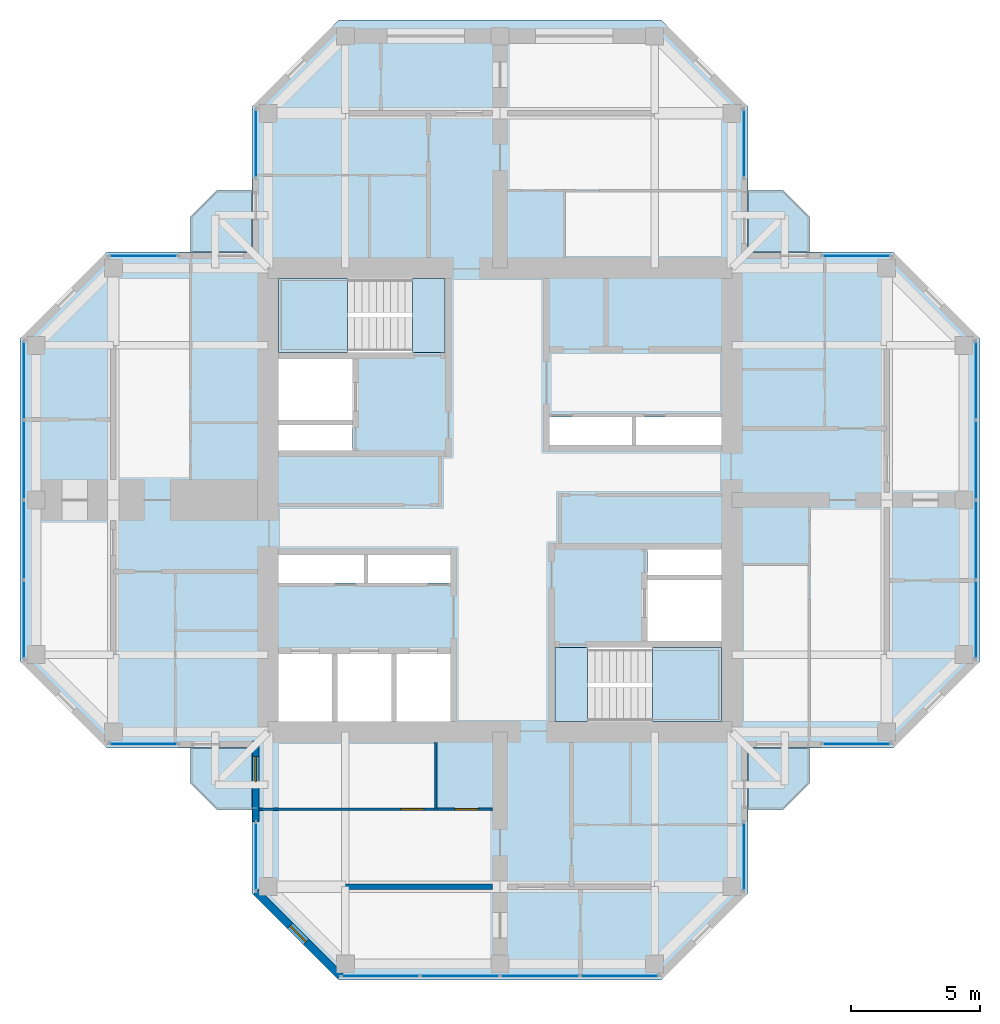
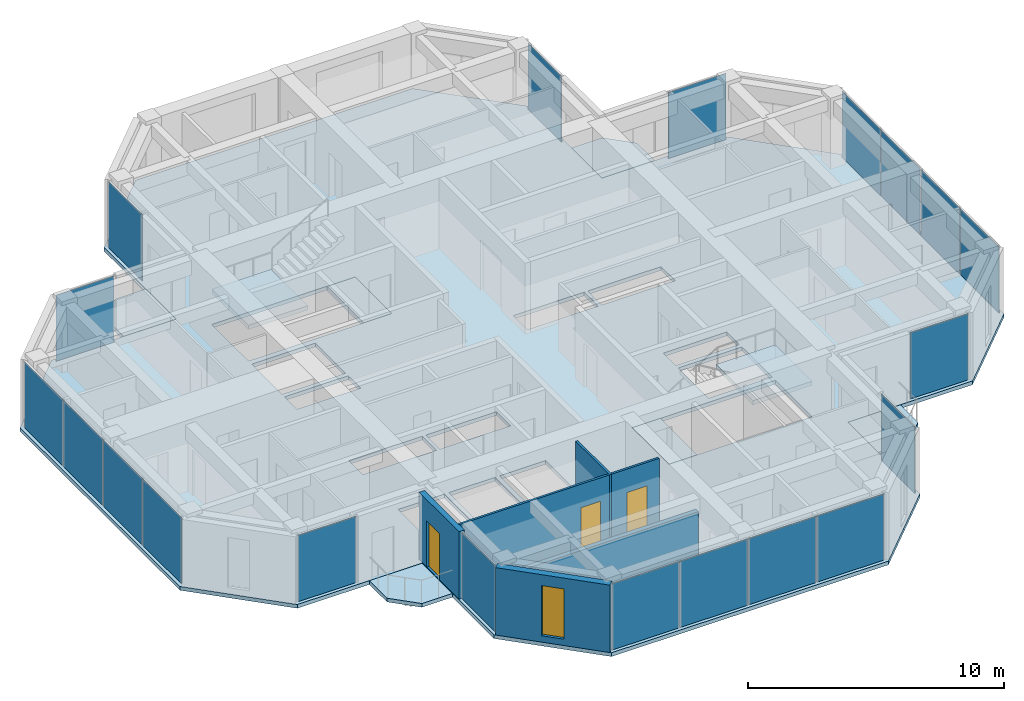
# One storey, part 7 of 13: 20 plates, 9 slabs, 5 walls, 3 doors, 1 window, 4 openings, 13 elements without a shape of their own.
"""IFC4 building model written with IfcOpenShell, lengths in metres."""

from ifc_helpers import new_model, si_unit, direction, frame, frame_2d, origin, origin_2d, place, context, subcontext, project, spatial, polyline, rectangle, hollow_rectangle, outline, extrude, material, layer, layer_set, constituent, constituent_set, type_object, element, fill, aggregate, save


model = new_model("IFC4")

# Units and contexts
model_context = context("Model", 3, precision=1e-05, world=origin(), true_north=direction((0.0, 1.0)))
body_context = subcontext(model_context, "Body", "Model", "MODEL_VIEW")
ifc_project = project(units=[si_unit("LENGTHUNIT", "METRE"), si_unit("AREAUNIT", "SQUARE_METRE"), si_unit("VOLUMEUNIT", "CUBIC_METRE"), si_unit("PLANEANGLEUNIT", "RADIAN"), si_unit("MASSUNIT", "GRAM", prefix="KILO")], contexts=[model_context])

# Site, building, storey
site_placement = place(None, origin())
site = spatial("IfcSite", under=ifc_project, at=site_placement, CompositionType="ELEMENT")
building_placement = place(site_placement, origin())
building = spatial("IfcBuilding", under=site, at=building_placement, Name="Torre Cruceta", CompositionType="ELEMENT")
storey_placement = place(building_placement, frame((0.0, 0.0, 264.5)))
storey = spatial("IfcBuildingStorey", under=building, at=storey_placement, Name="L68", CompositionType="ELEMENT", Elevation=264.5)

# Slabs
ifc_material_1 = material(Name="Concrete G35 (fck 35 MPa)", Category="concrete")
ifc_layer_1 = layer(ifc_material_1, 0.179931640625)
ifc_layer_set_1 = layer_set([ifc_layer_1], Name="Concrete G35 (fck 35 MPa)")
slab_type_1 = type_object("IfcSlabType", Name="BALCONY SLAB 180", PredefinedType="USERDEFINED", material=ifc_layer_set_1)
slab_1_placement = place(storey_placement, frame((0.0, 0.0, -0.179931640625)))
element("IfcSlab", 1, at=slab_1_placement, inside=storey, type_object=slab_type_1, Name="Balcony slab L68 N", ObjectType="BALCONY", PredefinedType="USERDEFINED", context=body_context, shape_type="SweptSolid", body=[
    extrude(outline(polyline([(-12.0, 11.0), (-11.0, 12.0), (-9.6201171875, 12.0), (-9.6201171875, 9.6201171875), (-12.0, 9.6201171875), (-12.0, 11.0)])), origin(), (0.0, 0.0, 1.0), 0.179931640625),
])
slab_2_placement = place(storey_placement, frame((0.0, 0.0, -0.179931640625)))
element("IfcSlab", 2, at=slab_2_placement, inside=storey, type_object=slab_type_1, Name="Balcony slab L68 E", ObjectType="BALCONY", PredefinedType="USERDEFINED", context=body_context, shape_type="SweptSolid", body=[
    extrude(outline(polyline([(11.0, 12.0), (12.0, 11.0), (12.0, 9.6201171875), (9.6201171875, 9.6201171875), (9.6201171875, 12.0), (11.0, 12.0)])), origin(), (0.0, 0.0, 1.0), 0.179931640625),
])
slab_3_placement = place(storey_placement, frame((0.0, 0.0, -0.179931640625)))
element("IfcSlab", 3, at=slab_3_placement, inside=storey, type_object=slab_type_1, Name="Balcony slab L68 S", ObjectType="BALCONY", PredefinedType="USERDEFINED", context=body_context, shape_type="SweptSolid", body=[
    extrude(outline(polyline([(12.0, -11.0), (11.0, -12.0), (9.6201171875, -12.0), (9.6201171875, -9.6201171875), (12.0, -9.6201171875), (12.0, -11.0)])), origin(), (0.0, 0.0, 1.0), 0.179931640625),
])
slab_4_placement = place(storey_placement, frame((0.0, 0.0, -0.179931640625)))
element("IfcSlab", 4, at=slab_4_placement, inside=storey, type_object=slab_type_1, Name="Balcony slab L68 W", ObjectType="BALCONY", PredefinedType="USERDEFINED", context=body_context, shape_type="SweptSolid", body=[
    extrude(outline(polyline([(-11.0, -12.0), (-12.0, -11.0), (-12.0, -9.6201171875), (-9.6201171875, -9.6201171875), (-9.6201171875, -12.0), (-11.0, -12.0)])), origin(), (0.0, 0.0, 1.0), 0.179931640625),
])

# Curtain wall, plate
ifc_material_2 = material(Name="Aluminium unitised curtain wall", Category="aluminium")
curtain_wall_type = type_object("IfcCurtainWallType", Name="CURTAIN WALL CW-E CO-LIVING TOP", PredefinedType="USERDEFINED", material=ifc_material_2)
curtain_wall_1_placement = place(storey_placement, origin())
curtain_wall_1 = element("IfcCurtainWall", 5, at=curtain_wall_1_placement, inside=storey, type_object=curtain_wall_type, Name="CW-E L68 E tip 02", ObjectType="UNITISED", PredefinedType="USERDEFINED")
ifc_material_3 = material(Name="Laminated insulating glass unit, diagonal frit 50 %", Category="glass")
ifc_material_4 = material(Name="Laminated insulating glass unit, diagonal frit 50 %", Category="glass")
ifc_layer_2 = layer(ifc_material_4, 0.028076171875)
ifc_layer_set_2 = layer_set([ifc_layer_2], Name="Laminated insulating glass unit, diagonal frit 50 %")
plate_type_1 = type_object("IfcPlateType", Name="CW-E OPERABLE VENT PANEL 28", PredefinedType="CURTAIN_PANEL", material=ifc_layer_set_2)
plate_1_placement = place(storey_placement, frame((18.469970703125, -1.548583984375, 0.009765625), z_axis=(0.0, 0.0, 1.0), x_axis=(0.0, 1.0, 0.0)))
plate_1 = element("IfcPlate", 6, at=plate_1_placement, type_object=plate_type_1, material=ifc_material_3, Name="CW-E vent 2", PredefinedType="CURTAIN_PANEL", context=body_context, shape_type="SweptSolid", body=[
    extrude(rectangle(XDim=3.042236328125, YDim=0.028076171875, at=origin_2d()), origin(), (0.0, 0.0, 1.0), 3.155029296875),
])

curtain_wall_2_placement = place(storey_placement, origin())
curtain_wall_2 = element("IfcCurtainWall", 7, at=curtain_wall_2_placement, inside=storey, type_object=curtain_wall_type, Name="CW-E L68 W tip 12", ObjectType="UNITISED", PredefinedType="USERDEFINED")
plate_2_placement = place(storey_placement, frame((-18.469970703125, 1.548583984375, 0.009765625), z_axis=(0.0, 0.0, 1.0), x_axis=(0.0, -1.0, 0.0)))
plate_2 = element("IfcPlate", 8, at=plate_2_placement, type_object=plate_type_1, material=ifc_material_3, Name="CW-E vent 2", PredefinedType="CURTAIN_PANEL", context=body_context, shape_type="SweptSolid", body=[
    extrude(rectangle(XDim=3.042236328125, YDim=0.028076171875, at=origin_2d()), origin(), (0.0, 0.0, 1.0), 3.155029296875),
])

curtain_wall_3_placement = place(storey_placement, origin())
curtain_wall_3 = element("IfcCurtainWall", 9, at=curtain_wall_3_placement, inside=storey, type_object=curtain_wall_type, Name="CW-E L68 S tip 17", ObjectType="UNITISED", PredefinedType="USERDEFINED")
plate_3_placement = place(storey_placement, frame((-1.548583984375, -18.469970703125, 0.009765625), z_axis=(0.0, 0.0, 1.0), x_axis=(1.0, 0.0, 0.0)))
plate_3 = element("IfcPlate", 10, at=plate_3_placement, type_object=plate_type_1, material=ifc_material_3, Name="CW-E vent 2", PredefinedType="CURTAIN_PANEL", context=body_context, shape_type="SweptSolid", body=[
    extrude(rectangle(XDim=3.042236328125, YDim=0.028076171875, at=origin_2d()), origin(), (0.0, 0.0, 1.0), 3.155029296875),
])

curtain_wall_4_placement = place(storey_placement, origin())
curtain_wall_4 = element("IfcCurtainWall", 11, at=curtain_wall_4_placement, inside=storey, type_object=curtain_wall_type, Name="CW-E L68 E side 00", ObjectType="UNITISED", PredefinedType="USERDEFINED")
ifc_material_5 = material(Name="Laminated insulating glass unit, diagonal frit 50 %", Category="glass")
ifc_layer_3 = layer(ifc_material_5, 0.028076171875)
ifc_layer_set_3 = layer_set([ifc_layer_3], Name="Laminated insulating glass unit, diagonal frit 50 %")
plate_type_2 = type_object("IfcPlateType", Name="CW-E PANEL 28", PredefinedType="CURTAIN_PANEL", material=ifc_layer_set_3)
plate_4_placement = place(storey_placement, frame((13.832275390625, -9.469970703125, 0.009765625), z_axis=(0.0, 0.0, 1.0), x_axis=(1.0, 0.0, 0.0)))
plate_4 = element("IfcPlate", 12, at=plate_4_placement, type_object=plate_type_2, material=ifc_material_3, Name="CW-E panel 1", PredefinedType="CURTAIN_PANEL", context=body_context, shape_type="SweptSolid", body=[
    extrude(rectangle(XDim=2.61474609375, YDim=0.028076171875, at=origin_2d()), origin(), (0.0, 0.0, 1.0), 3.155029296875),
])
aggregate(curtain_wall_4, [plate_4])

# Plate
plate_5_placement = place(storey_placement, frame((18.469970703125, -4.63232421875, 0.009765625), z_axis=(0.0, 0.0, 1.0), x_axis=(0.0, 1.0, 0.0)))
plate_5 = element("IfcPlate", 13, at=plate_5_placement, type_object=plate_type_2, material=ifc_material_3, Name="CW-E panel 1", PredefinedType="CURTAIN_PANEL", context=body_context, shape_type="SweptSolid", body=[
    extrude(rectangle(XDim=3.014892578125, YDim=0.028076171875, at=origin_2d()), origin(), (0.0, 0.0, 1.0), 3.155029296875),
])

plate_6_placement = place(storey_placement, frame((18.469970703125, 1.548583984375, 0.009765625), z_axis=(0.0, 0.0, 1.0), x_axis=(0.0, 1.0, 0.0)))
plate_6 = element("IfcPlate", 14, at=plate_6_placement, type_object=plate_type_2, material=ifc_material_3, Name="CW-E panel 3", PredefinedType="CURTAIN_PANEL", context=body_context, shape_type="SweptSolid", body=[
    extrude(rectangle(XDim=3.042236328125, YDim=0.028076171875, at=origin_2d()), origin(), (0.0, 0.0, 1.0), 3.155029296875),
])

plate_7_placement = place(storey_placement, frame((18.469970703125, 4.63232421875, 0.009765625), z_axis=(0.0, 0.0, 1.0), x_axis=(0.0, 1.0, 0.0)))
plate_7 = element("IfcPlate", 15, at=plate_7_placement, type_object=plate_type_2, material=ifc_material_3, Name="CW-E panel 4", PredefinedType="CURTAIN_PANEL", context=body_context, shape_type="SweptSolid", body=[
    extrude(rectangle(XDim=3.014892578125, YDim=0.028076171875, at=origin_2d()), origin(), (0.0, 0.0, 1.0), 3.155029296875),
])

aggregate(curtain_wall_1, [plate_5, plate_1, plate_6, plate_7])

# Curtain wall, plate
curtain_wall_5_placement = place(storey_placement, origin())
curtain_wall_5 = element("IfcCurtainWall", 16, at=curtain_wall_5_placement, inside=storey, type_object=curtain_wall_type, Name="CW-E L68 E side 04", ObjectType="UNITISED", PredefinedType="USERDEFINED")
plate_8_placement = place(storey_placement, frame((13.832275390625, 9.469970703125, 0.009765625), z_axis=(0.0, 0.0, 1.0), x_axis=(-1.0, 0.0, 0.0)))
plate_8 = element("IfcPlate", 17, at=plate_8_placement, type_object=plate_type_2, material=ifc_material_3, Name="CW-E panel 1", PredefinedType="CURTAIN_PANEL", context=body_context, shape_type="SweptSolid", body=[
    extrude(rectangle(XDim=2.61474609375, YDim=0.028076171875, at=origin_2d()), origin(), (0.0, 0.0, 1.0), 3.155029296875),
])
aggregate(curtain_wall_5, [plate_8])

curtain_wall_6_placement = place(storey_placement, origin())
curtain_wall_6 = element("IfcCurtainWall", 18, at=curtain_wall_6_placement, inside=storey, type_object=curtain_wall_type, Name="CW-E L68 N side 05", ObjectType="UNITISED", PredefinedType="USERDEFINED")
plate_9_placement = place(storey_placement, frame((9.469970703125, 13.832275390625, 0.009765625), z_axis=(0.0, 0.0, 1.0), x_axis=(0.0, 1.0, 0.0)))
plate_9 = element("IfcPlate", 19, at=plate_9_placement, type_object=plate_type_2, material=ifc_material_3, Name="CW-E panel 1", PredefinedType="CURTAIN_PANEL", context=body_context, shape_type="SweptSolid", body=[
    extrude(rectangle(XDim=2.61474609375, YDim=0.028076171875, at=origin_2d()), origin(), (0.0, 0.0, 1.0), 3.155029296875),
])
aggregate(curtain_wall_6, [plate_9])

curtain_wall_7_placement = place(storey_placement, origin())
curtain_wall_7 = element("IfcCurtainWall", 20, at=curtain_wall_7_placement, inside=storey, type_object=curtain_wall_type, Name="CW-E L68 N side 09", ObjectType="UNITISED", PredefinedType="USERDEFINED")
plate_10_placement = place(storey_placement, frame((-9.469970703125, 13.832275390625, 0.009765625), z_axis=(0.0, 0.0, 1.0), x_axis=(0.0, -1.0, 0.0)))
plate_10 = element("IfcPlate", 21, at=plate_10_placement, type_object=plate_type_2, material=ifc_material_3, Name="CW-E panel 1", PredefinedType="CURTAIN_PANEL", context=body_context, shape_type="SweptSolid", body=[
    extrude(rectangle(XDim=2.61474609375, YDim=0.028076171875, at=origin_2d()), origin(), (0.0, 0.0, 1.0), 3.155029296875),
])
aggregate(curtain_wall_7, [plate_10])

curtain_wall_8_placement = place(storey_placement, origin())
curtain_wall_8 = element("IfcCurtainWall", 22, at=curtain_wall_8_placement, inside=storey, type_object=curtain_wall_type, Name="CW-E L68 W side 10", ObjectType="UNITISED", PredefinedType="USERDEFINED")
plate_11_placement = place(storey_placement, frame((-13.832275390625, 9.469970703125, 0.009765625), z_axis=(0.0, 0.0, 1.0), x_axis=(-1.0, 0.0, 0.0)))
plate_11 = element("IfcPlate", 23, at=plate_11_placement, type_object=plate_type_2, material=ifc_material_3, Name="CW-E panel 1", PredefinedType="CURTAIN_PANEL", context=body_context, shape_type="SweptSolid", body=[
    extrude(rectangle(XDim=2.61474609375, YDim=0.028076171875, at=origin_2d()), origin(), (0.0, 0.0, 1.0), 3.155029296875),
])
aggregate(curtain_wall_8, [plate_11])

# Plate
plate_12_placement = place(storey_placement, frame((-18.469970703125, 4.63232421875, 0.009765625), z_axis=(0.0, 0.0, 1.0), x_axis=(0.0, -1.0, 0.0)))
plate_12 = element("IfcPlate", 24, at=plate_12_placement, type_object=plate_type_2, material=ifc_material_3, Name="CW-E panel 1", PredefinedType="CURTAIN_PANEL", context=body_context, shape_type="SweptSolid", body=[
    extrude(rectangle(XDim=3.014892578125, YDim=0.028076171875, at=origin_2d()), origin(), (0.0, 0.0, 1.0), 3.155029296875),
])

plate_13_placement = place(storey_placement, frame((-18.469970703125, -1.548583984375, 0.009765625), z_axis=(0.0, 0.0, 1.0), x_axis=(0.0, -1.0, 0.0)))
plate_13 = element("IfcPlate", 25, at=plate_13_placement, type_object=plate_type_2, material=ifc_material_3, Name="CW-E panel 3", PredefinedType="CURTAIN_PANEL", context=body_context, shape_type="SweptSolid", body=[
    extrude(rectangle(XDim=3.042236328125, YDim=0.028076171875, at=origin_2d()), origin(), (0.0, 0.0, 1.0), 3.155029296875),
])

plate_14_placement = place(storey_placement, frame((-18.469970703125, -4.63232421875, 0.009765625), z_axis=(0.0, 0.0, 1.0), x_axis=(0.0, -1.0, 0.0)))
plate_14 = element("IfcPlate", 26, at=plate_14_placement, type_object=plate_type_2, material=ifc_material_3, Name="CW-E panel 4", PredefinedType="CURTAIN_PANEL", context=body_context, shape_type="SweptSolid", body=[
    extrude(rectangle(XDim=3.014892578125, YDim=0.028076171875, at=origin_2d()), origin(), (0.0, 0.0, 1.0), 3.155029296875),
])

aggregate(curtain_wall_2, [plate_12, plate_2, plate_13, plate_14])

# Curtain wall, plate
curtain_wall_9_placement = place(storey_placement, origin())
curtain_wall_9 = element("IfcCurtainWall", 27, at=curtain_wall_9_placement, inside=storey, type_object=curtain_wall_type, Name="CW-E L68 W side 14", ObjectType="UNITISED", PredefinedType="USERDEFINED")
plate_15_placement = place(storey_placement, frame((-13.832275390625, -9.469970703125, 0.009765625), z_axis=(0.0, 0.0, 1.0), x_axis=(1.0, 0.0, 0.0)))
plate_15 = element("IfcPlate", 28, at=plate_15_placement, type_object=plate_type_2, material=ifc_material_3, Name="CW-E panel 1", PredefinedType="CURTAIN_PANEL", context=body_context, shape_type="SweptSolid", body=[
    extrude(rectangle(XDim=2.61474609375, YDim=0.028076171875, at=origin_2d()), origin(), (0.0, 0.0, 1.0), 3.155029296875),
])
aggregate(curtain_wall_9, [plate_15])

curtain_wall_10_placement = place(storey_placement, origin())
curtain_wall_10 = element("IfcCurtainWall", 29, at=curtain_wall_10_placement, inside=storey, type_object=curtain_wall_type, Name="CW-E L68 S side 15", ObjectType="UNITISED", PredefinedType="USERDEFINED")
plate_16_placement = place(storey_placement, frame((-9.469970703125, -13.832275390625, 0.009765625), z_axis=(0.0, 0.0, 1.0), x_axis=(0.0, -1.0, 0.0)))
plate_16 = element("IfcPlate", 30, at=plate_16_placement, type_object=plate_type_2, material=ifc_material_3, Name="CW-E panel 1", PredefinedType="CURTAIN_PANEL", context=body_context, shape_type="SweptSolid", body=[
    extrude(rectangle(XDim=2.61474609375, YDim=0.028076171875, at=origin_2d()), origin(), (0.0, 0.0, 1.0), 3.155029296875),
])
aggregate(curtain_wall_10, [plate_16])

# Plate
plate_17_placement = place(storey_placement, frame((-4.63232421875, -18.469970703125, 0.009765625), z_axis=(0.0, 0.0, 1.0), x_axis=(1.0, 0.0, 0.0)))
plate_17 = element("IfcPlate", 31, at=plate_17_placement, type_object=plate_type_2, material=ifc_material_3, Name="CW-E panel 1", PredefinedType="CURTAIN_PANEL", context=body_context, shape_type="SweptSolid", body=[
    extrude(rectangle(XDim=3.014892578125, YDim=0.028076171875, at=origin_2d()), origin(), (0.0, 0.0, 1.0), 3.155029296875),
])

plate_18_placement = place(storey_placement, frame((1.548583984375, -18.469970703125, 0.009765625), z_axis=(0.0, 0.0, 1.0), x_axis=(1.0, 0.0, 0.0)))
plate_18 = element("IfcPlate", 32, at=plate_18_placement, type_object=plate_type_2, material=ifc_material_3, Name="CW-E panel 3", PredefinedType="CURTAIN_PANEL", context=body_context, shape_type="SweptSolid", body=[
    extrude(rectangle(XDim=3.042236328125, YDim=0.028076171875, at=origin_2d()), origin(), (0.0, 0.0, 1.0), 3.155029296875),
])

plate_19_placement = place(storey_placement, frame((4.63232421875, -18.469970703125, 0.009765625), z_axis=(0.0, 0.0, 1.0), x_axis=(1.0, 0.0, 0.0)))
plate_19 = element("IfcPlate", 33, at=plate_19_placement, type_object=plate_type_2, material=ifc_material_3, Name="CW-E panel 4", PredefinedType="CURTAIN_PANEL", context=body_context, shape_type="SweptSolid", body=[
    extrude(rectangle(XDim=3.014892578125, YDim=0.028076171875, at=origin_2d()), origin(), (0.0, 0.0, 1.0), 3.155029296875),
])

aggregate(curtain_wall_3, [plate_17, plate_3, plate_18, plate_19])

# Curtain wall, plate
curtain_wall_11_placement = place(storey_placement, origin())
curtain_wall_11 = element("IfcCurtainWall", 34, at=curtain_wall_11_placement, inside=storey, type_object=curtain_wall_type, Name="CW-E L68 S side 19", ObjectType="UNITISED", PredefinedType="USERDEFINED")
plate_20_placement = place(storey_placement, frame((9.469970703125, -13.832275390625, 0.009765625), z_axis=(0.0, 0.0, 1.0), x_axis=(0.0, 1.0, 0.0)))
plate_20 = element("IfcPlate", 35, at=plate_20_placement, type_object=plate_type_2, material=ifc_material_3, Name="CW-E panel 1", PredefinedType="CURTAIN_PANEL", context=body_context, shape_type="SweptSolid", body=[
    extrude(rectangle(XDim=2.61474609375, YDim=0.028076171875, at=origin_2d()), origin(), (0.0, 0.0, 1.0), 3.155029296875),
])
aggregate(curtain_wall_11, [plate_20])

# Slab
ifc_material_6 = material(Name="Concrete G35 (fck 35 MPa)", Category="concrete")
ifc_layer_4 = layer(ifc_material_6, 0.179931640625)
ifc_layer_set_4 = layer_set([ifc_layer_4], Name="Concrete G35 (fck 35 MPa)")
slab_type_2 = type_object("IfcSlabType", Name="FLOOR SLAB 180", PredefinedType="FLOOR", material=ifc_layer_set_4)
slab_5_placement = place(storey_placement, frame((0.0, 0.0, -0.179931640625)))
element("IfcSlab", 36, at=slab_5_placement, inside=storey, type_object=slab_type_2, Name="Floor Slab L68", PredefinedType="FLOOR", context=body_context, shape_type="SweptSolid", body=[
    extrude(outline(polyline([(9.6201171875, -9.6201171875), (9.6201171875, -15.2568359375), (6.2568359375, -18.6201171875), (-6.2568359375, -18.6201171875), (-9.6201171875, -15.2568359375), (-9.6201171875, -9.6201171875), (-15.2568359375, -9.6201171875), (-18.6201171875, -6.2568359375), (-18.6201171875, 6.2568359375), (-15.2568359375, 9.6201171875), (-9.6201171875, 9.6201171875), (-9.6201171875, 15.2568359375), (-6.2568359375, 18.6201171875), (6.2568359375, 18.6201171875), (9.6201171875, 15.2568359375), (9.6201171875, 9.6201171875), (15.2568359375, 9.6201171875), (18.6201171875, 6.2568359375), (18.6201171875, -6.2568359375), (15.2568359375, -9.6201171875), (9.6201171875, -9.6201171875)]), holes=[polyline([(1.925048828125, 2.125), (5.125, 2.125), (5.125, 3.22509765625), (1.925048828125, 3.22509765625), (1.925048828125, 2.125)]), polyline([(5.27490234375, 2.125), (8.60009765625, 2.125), (8.60009765625, 3.22509765625), (5.27490234375, 3.22509765625), (5.27490234375, 2.125)]), polyline([(-8.60009765625, 3.10009765625), (-5.72509765625, 3.10009765625), (-5.72509765625, 5.47509765625), (-8.60009765625, 5.47509765625), (-8.60009765625, 3.10009765625)]), polyline([(-8.60009765625, 1.925048828125), (-5.72509765625, 1.925048828125), (-5.72509765625, 2.89990234375), (-8.60009765625, 2.89990234375), (-8.60009765625, 1.925048828125)]), polyline([(-4.0166015625, -8.60009765625), (-1.925048828125, -8.60009765625), (-1.925048828125, -5.97509765625), (-4.0166015625, -5.97509765625), (-4.0166015625, -8.60009765625)]), polyline([(-6.308349609375, -8.60009765625), (-4.216552734375, -8.60009765625), (-4.216552734375, -5.97509765625), (-6.308349609375, -5.97509765625), (-6.308349609375, -8.60009765625)]), polyline([(-8.60009765625, -8.60009765625), (-6.50830078125, -8.60009765625), (-6.50830078125, -5.97509765625), (-8.60009765625, -5.97509765625), (-8.60009765625, -8.60009765625)]), polyline([(-5.125, -3.22509765625), (-1.925048828125, -3.22509765625), (-1.925048828125, -2.125), (-5.125, -2.125), (-5.125, -3.22509765625)]), polyline([(-8.60009765625, -3.22509765625), (-5.27490234375, -3.22509765625), (-5.27490234375, -2.125), (-8.60009765625, -2.125), (-8.60009765625, -3.22509765625)]), polyline([(5.72509765625, -5.47509765625), (8.60009765625, -5.47509765625), (8.60009765625, -3.10009765625), (5.72509765625, -3.10009765625), (5.72509765625, -5.47509765625)]), polyline([(5.72509765625, -2.89990234375), (8.60009765625, -2.89990234375), (8.60009765625, -1.925048828125), (5.72509765625, -1.925048828125), (5.72509765625, -2.89990234375)]), polyline([(-8.60009765625, 5.72509765625), (-8.60009765625, 8.60009765625), (-3.39990234375, 8.60009765625), (-2.125, 8.60009765625), (-2.125, 5.72509765625), (-3.39990234375, 5.72509765625), (-8.60009765625, 5.72509765625)]), polyline([(2.125, -5.72509765625), (3.39990234375, -5.72509765625), (8.60009765625, -5.72509765625), (8.60009765625, -8.60009765625), (3.39990234375, -8.60009765625), (2.125, -8.60009765625), (2.125, -5.72509765625)])]), origin(), (0.0, 0.0, 1.0), 0.179931640625),
])

# Stair, slab
ifc_material_7 = material(Name="Concrete G30 (fck 30 MPa)", Category="concrete")
stair_type = type_object("IfcStairType", Name="STAIR HALF-TURN 1300", PredefinedType="HALF_TURN_STAIR", material=ifc_material_7)
stair_1_placement = place(storey_placement, origin())
stair_1 = element("IfcStair", 37, at=stair_1_placement, inside=storey, type_object=stair_type, Name="Stair ST1 L68", PredefinedType="HALF_TURN_STAIR")
ifc_material_8 = material(Name="Concrete G30 (fck 30 MPa)", Category="concrete")
ifc_layer_5 = layer(ifc_material_8, 0.199951171875)
ifc_layer_set_5 = layer_set([ifc_layer_5], Name="Concrete G30 (fck 30 MPa)")
slab_type_3 = type_object("IfcSlabType", Name="STAIR LANDING 200", PredefinedType="LANDING", material=ifc_layer_set_5)
slab_6_placement = place(storey_placement, frame((0.0, 0.0, 1.5)))
slab_6 = element("IfcSlab", 38, at=slab_6_placement, type_object=slab_type_3, Name="ST1 landing 1", PredefinedType="LANDING", context=body_context, shape_type="SweptSolid", body=[
    extrude(outline(polyline([(-8.60009765625, 5.72509765625), (-5.919921875, 5.72509765625), (-5.919921875, 8.60009765625), (-8.60009765625, 8.60009765625), (-8.60009765625, 5.72509765625)])), origin(), (0.0, 0.0, 1.0), 0.199951171875),
])
aggregate(stair_1, [slab_6])

stair_2_placement = place(storey_placement, origin())
stair_2 = element("IfcStair", 39, at=stair_2_placement, inside=storey, type_object=stair_type, Name="Stair ST2 L68", PredefinedType="HALF_TURN_STAIR")
slab_7_placement = place(storey_placement, frame((0.0, 0.0, 1.5)))
slab_7 = element("IfcSlab", 40, at=slab_7_placement, type_object=slab_type_3, Name="ST2 landing 1", PredefinedType="LANDING", context=body_context, shape_type="SweptSolid", body=[
    extrude(outline(polyline([(5.919921875, -8.60009765625), (8.60009765625, -8.60009765625), (8.60009765625, -5.72509765625), (5.919921875, -5.72509765625), (5.919921875, -8.60009765625)])), origin(), (0.0, 0.0, 1.0), 0.199951171875),
])
aggregate(stair_2, [slab_7])

# Slabs
slab_8_placement = place(storey_placement, frame((0.0, 0.0, -0.199951171875)))
element("IfcSlab", 41, at=slab_8_placement, inside=storey, type_object=slab_type_3, Name="Stair ST1 floor landing L68", PredefinedType="LANDING", context=body_context, shape_type="SweptSolid", body=[
    extrude(outline(polyline([(-2.125, 8.60009765625), (-2.125, 5.72509765625), (-3.39990234375, 5.72509765625), (-3.39990234375, 8.60009765625), (-2.125, 8.60009765625)])), origin(), (0.0, 0.0, 1.0), 0.199951171875),
])
slab_9_placement = place(storey_placement, frame((0.0, 0.0, -0.199951171875)))
element("IfcSlab", 42, at=slab_9_placement, inside=storey, type_object=slab_type_3, Name="Stair ST2 floor landing L68", PredefinedType="LANDING", context=body_context, shape_type="SweptSolid", body=[
    extrude(outline(polyline([(2.125, -8.60009765625), (2.125, -5.72509765625), (3.39990234375, -5.72509765625), (3.39990234375, -8.60009765625), (2.125, -8.60009765625)])), origin(), (0.0, 0.0, 1.0), 0.199951171875),
])

# Wall
ifc_material_9 = material(Name="Water-resistant plasterboard on steel studs", Category="steel")
ifc_layer_6 = layer(ifc_material_9, 0.10009765625)
ifc_layer_set_6 = layer_set([ifc_layer_6], Name="Water-resistant plasterboard on steel studs")
wall_type_1 = type_object("IfcWallType", Name="BATHROOM WALL 100", PredefinedType="PARTITIONING", material=ifc_layer_set_6)
wall_1_placement = place(storey_placement, frame((-2.5, -9.39990234375, 0.0), z_axis=(0.0, 0.0, 1.0), x_axis=(0.0, -1.0, 0.0)))
element("IfcWall", 43, at=wall_1_placement, inside=storey, type_object=wall_type_1, Name="PT4 L68-S-U1RBB", PredefinedType="PARTITIONING", context=body_context, shape_type="SweptSolid", body=[
    extrude(rectangle(XDim=2.650146484375, YDim=0.10009765625, at=frame_2d((1.3251953125, 0.0))), origin(), (0.0, 0.0, 1.0), 3.219970703125),
])

# Wall, openings, doors
wall_2_placement = place(storey_placement, frame((-9.344970703125, -12.0, 0.0), z_axis=(0.0, 0.0, 1.0), x_axis=(1.0, 0.0, 0.0)))
wall_2 = element("IfcWall", 44, at=wall_2_placement, inside=storey, type_object=wall_type_1, Name="PT4 L68-S-U1RBS", PredefinedType="PARTITIONING", context=body_context, shape_type="SweptSolid", body=[
    extrude(rectangle(XDim=9.044921875, YDim=0.10009765625, at=frame_2d((4.5224609375, 0.0))), origin(), (0.0, 0.0, 1.0), 3.219970703125),
])
opening_1_placement = place(wall_2_placement, frame((5.4951171875, 0.0, 0.0)))
opening_1 = element("IfcOpeningElement", 45, at=opening_1_placement, cuts=wall_2, Name="Opening D7", PredefinedType="OPENING", context=body_context, shape_type="SweptSolid", body=[
    extrude(rectangle(XDim=0.89990234375, YDim=2.10009765625, at=frame_2d((0.449951171875, 1.050048828125))), frame((0.0, 0.06005859375, 0.0), z_axis=(0.0, -1.0, 0.0), x_axis=(1.0, 0.0, 0.0)), (0.0, 0.0, 1.0), 0.1201171875),
])
opening_2_placement = place(wall_2_placement, frame((7.594970703125, 0.0, 0.0)))
opening_2 = element("IfcOpeningElement", 46, at=opening_2_placement, cuts=wall_2, Name="Opening D7", PredefinedType="OPENING", context=body_context, shape_type="SweptSolid", body=[
    extrude(rectangle(XDim=0.89990234375, YDim=2.10009765625, at=frame_2d((0.449951171875, 1.050048828125))), frame((0.0, 0.06005859375, 0.0), z_axis=(0.0, -1.0, 0.0), x_axis=(1.0, 0.0, 0.0)), (0.0, 0.0, 1.0), 0.1201171875),
])
ifc_material_10 = material(Name="Timber door", Category="wood")
door_type_1 = type_object("IfcDoorType", Name="BATHROOM DOOR 900X2100", OperationType="SINGLE_SWING_LEFT", PredefinedType="DOOR", material=ifc_material_10)
door_1_placement = place(opening_1_placement, origin())
door_1 = element("IfcDoor", 47, at=door_1_placement, inside=storey, type_object=door_type_1, Name="D7 L68-S-U1RBS-D1", OperationType="SINGLE_SWING_RIGHT", OverallHeight=2.10009765625, OverallWidth=0.89990234375, PredefinedType="DOOR", context=body_context, shape_type="SweptSolid", body=[
    extrude(rectangle(XDim=0.89990234375, YDim=2.10009765625, at=frame_2d((0.449951171875, 1.050048828125))), frame((0.0, 0.02490234375, 0.0), z_axis=(0.0, -1.0, 0.0), x_axis=(1.0, 0.0, 0.0)), (0.0, 0.0, 1.0), 0.050048828125),
])
fill(opening_1, door_1)
door_2_placement = place(opening_2_placement, origin())
door_2 = element("IfcDoor", 48, at=door_2_placement, inside=storey, type_object=door_type_1, Name="D7 L68-S-U1RBS-D2", OperationType="SINGLE_SWING_RIGHT", OverallHeight=2.10009765625, OverallWidth=0.89990234375, PredefinedType="DOOR", context=body_context, shape_type="SweptSolid", body=[
    extrude(rectangle(XDim=0.89990234375, YDim=2.10009765625, at=frame_2d((0.449951171875, 1.050048828125))), frame((0.0, 0.02490234375, 0.0), z_axis=(0.0, -1.0, 0.0), x_axis=(1.0, 0.0, 0.0)), (0.0, 0.0, 1.0), 0.050048828125),
])
fill(opening_2, door_2)

# Wall, opening, window
ifc_material_11 = material(Name="Concrete G30 (fck 30 MPa)", Category="concrete")
ifc_layer_7 = layer(ifc_material_11, 0.300048828125)
ifc_layer_set_7 = layer_set([ifc_layer_7], Name="Concrete G30 (fck 30 MPa)")
wall_type_2 = type_object("IfcWallType", Name="EXPOSED CONCRETE FACADE WALL 300", PredefinedType="SOLIDWALL", material=ifc_layer_set_7)
wall_3_placement = place(storey_placement, frame((-9.469970703125, -15.194580078125, 0.0), z_axis=(0.0, 0.0, 1.0), x_axis=(0.707106781187, -0.707106781187, 0.0)))
wall_3 = element("IfcWall", 49, at=wall_3_placement, inside=storey, type_object=wall_type_2, Name="EW1 facade wall L68 S chamfer 16", PredefinedType="SOLIDWALL", context=body_context, shape_type="SweptSolid", body=[
    extrude(rectangle(XDim=4.632080078125, YDim=0.300048828125, at=frame_2d((2.31591796875, 0.0))), origin(), (0.0, 0.0, 1.0), 3.219970703125),
])
opening_3_placement = place(wall_3_placement, frame((1.865966796875, 0.0, 0.300048828125)))
opening_3 = element("IfcOpeningElement", 50, at=opening_3_placement, cuts=wall_3, Name="Opening WN5", PredefinedType="OPENING", context=body_context, shape_type="SweptSolid", body=[
    extrude(rectangle(XDim=0.89990234375, YDim=2.39990234375, at=frame_2d((0.449951171875, 1.199951171875))), frame((0.0, 0.159912109375, 0.0), z_axis=(0.0, -1.0, 0.0), x_axis=(1.0, 0.0, 0.0)), (0.0, 0.0, 1.0), 0.320068359375),
])
ifc_material_12 = material(Name="Aluminium window frame", Category="aluminium")
ifc_constituent_1 = constituent(ifc_material_12, Name="Frame")
ifc_material_13 = material(Name="Laminated insulating glass unit, low-iron clear", Category="glass")
ifc_constituent_2 = constituent(ifc_material_13, Name="Glazing")
ifc_constituent_set_1 = constituent_set(constituents=[ifc_constituent_1, ifc_constituent_2], Name="Aluminium window")
window_type = type_object("IfcWindowType", Name="CHAMFER SLOT WINDOW 900X2400", PartitioningType="SINGLE_PANEL", PredefinedType="WINDOW", material=ifc_constituent_set_1)
window_placement = place(opening_3_placement, origin())
window = element("IfcWindow", 51, at=window_placement, inside=storey, type_object=window_type, Name="WN5 L68 S 1", OverallHeight=2.39990234375, OverallWidth=0.89990234375, PartitioningType="SINGLE_PANEL", PredefinedType="WINDOW", context=body_context, shape_type="SweptSolid", body=[
    extrude(hollow_rectangle(XDim=0.89990234375, YDim=2.39990234375, WallThickness=0.06005859375, at=frame_2d((0.449951171875, 1.199951171875))), frame((0.0, 0.030029296875, 0.0), z_axis=(0.0, -1.0, 0.0), x_axis=(1.0, 0.0, 0.0)), (0.0, 0.0, 1.0), 0.06005859375),
    extrude(rectangle(XDim=0.77880859375, YDim=2.27880859375, at=frame_2d((0.449951171875, 1.199951171875))), frame((0.0, 0.030029296875, 0.0), z_axis=(0.0, -1.0, 0.0), x_axis=(1.0, 0.0, 0.0)), (0.0, 0.0, 1.0), 0.06005859375),
])
fill(opening_3, window)

# Wall
ifc_material_14 = material(Name="Concrete G25 (fck 25 MPa)", Category="concrete")
ifc_layer_8 = layer(ifc_material_14, 0.199951171875)
ifc_layer_set_8 = layer_set([ifc_layer_8], Name="Concrete G25 (fck 25 MPa)")
wall_type_3 = type_object("IfcWallType", Name="UNIT SEPARATING WALL 200", PredefinedType="SOLIDWALL", material=ifc_layer_set_8)
wall_4_placement = place(storey_placement, frame((-8.64990234375, -15.0, 0.0), z_axis=(0.0, 0.0, 1.0), x_axis=(1.0, 0.0, 0.0)))
element("IfcWall", 52, at=wall_4_placement, inside=storey, type_object=wall_type_3, Name="PT2 L68-S-ENDa", PredefinedType="SOLIDWALL", context=body_context, shape_type="SweptSolid", body=[
    extrude(rectangle(XDim=8.349853515625, YDim=0.199951171875, at=frame_2d((4.1748046875, 0.0))), origin(), (0.0, 0.0, 1.0), 2.52001953125),
])

# Wall, opening, door
ifc_material_15 = material(Name="Concrete G30 (fck 30 MPa)", Category="concrete")
ifc_layer_9 = layer(ifc_material_15, 0.25)
ifc_layer_set_9 = layer_set([ifc_layer_9], Name="Concrete G30 (fck 30 MPa)")
wall_type_4 = type_object("IfcWallType", Name="WINTER GARDEN WALL 250", PredefinedType="SOLIDWALL", material=ifc_layer_set_9)
wall_5_placement = place(storey_placement, frame((-9.469970703125, -9.344970703125, 0.0), z_axis=(0.0, 0.0, 1.0), x_axis=(0.0, -1.0, 0.0)))
wall_5 = element("IfcWall", 53, at=wall_5_placement, inside=storey, type_object=wall_type_4, Name="EW2 winter garden wall L68 15", PredefinedType="SOLIDWALL", context=body_context, shape_type="SweptSolid", body=[
    extrude(rectangle(XDim=3.125, YDim=0.25, at=frame_2d((1.5625, 0.0))), origin(), (0.0, 0.0, 1.0), 3.219970703125),
])
opening_4_placement = place(wall_5_placement, frame((0.60009765625, 0.0, 0.0)))
opening_4 = element("IfcOpeningElement", 54, at=opening_4_placement, cuts=wall_5, Name="Opening D10", PredefinedType="OPENING", context=body_context, shape_type="SweptSolid", body=[
    extrude(rectangle(XDim=1.0, YDim=2.199951171875, at=frame_2d((0.5, 1.10009765625))), frame((0.0, 0.135009765625, 0.0), z_axis=(0.0, -1.0, 0.0), x_axis=(1.0, 0.0, 0.0)), (0.0, 0.0, 1.0), 0.27001953125),
])
ifc_material_16 = material(Name="Aluminium door frame", Category="aluminium")
ifc_constituent_3 = constituent(ifc_material_16, Name="Frame")
ifc_material_17 = material(Name="Laminated safety glass", Category="glass")
ifc_constituent_4 = constituent(ifc_material_17, Name="Glazing")
ifc_constituent_set_2 = constituent_set(constituents=[ifc_constituent_3, ifc_constituent_4], Name="Aluminium glazed door")
door_type_2 = type_object("IfcDoorType", Name="BALCONY DOOR 1000X2200", OperationType="SINGLE_SWING_RIGHT", PredefinedType="DOOR", material=ifc_constituent_set_2)
door_3_placement = place(opening_4_placement, origin())
door_3 = element("IfcDoor", 55, at=door_3_placement, inside=storey, type_object=door_type_2, Name="D10 balcony door L68 15", OperationType="SINGLE_SWING_LEFT", OverallHeight=2.199951171875, OverallWidth=1.0, PredefinedType="DOOR", context=body_context, shape_type="SweptSolid", body=[
    extrude(hollow_rectangle(XDim=1.0, YDim=2.199951171875, WallThickness=0.06005859375, at=frame_2d((0.5, 1.10009765625))), frame((0.0, 0.02490234375, 0.0), z_axis=(0.0, -1.0, 0.0), x_axis=(1.0, 0.0, 0.0)), (0.0, 0.0, 1.0), 0.050048828125),
    extrude(rectangle(XDim=0.87890625, YDim=2.078857421875, at=frame_2d((0.5, 1.10009765625))), frame((0.0, 0.02490234375, 0.0), z_axis=(0.0, -1.0, 0.0), x_axis=(1.0, 0.0, 0.0)), (0.0, 0.0, 1.0), 0.050048828125),
])
fill(opening_4, door_3)

save(model, "model.ifc")
